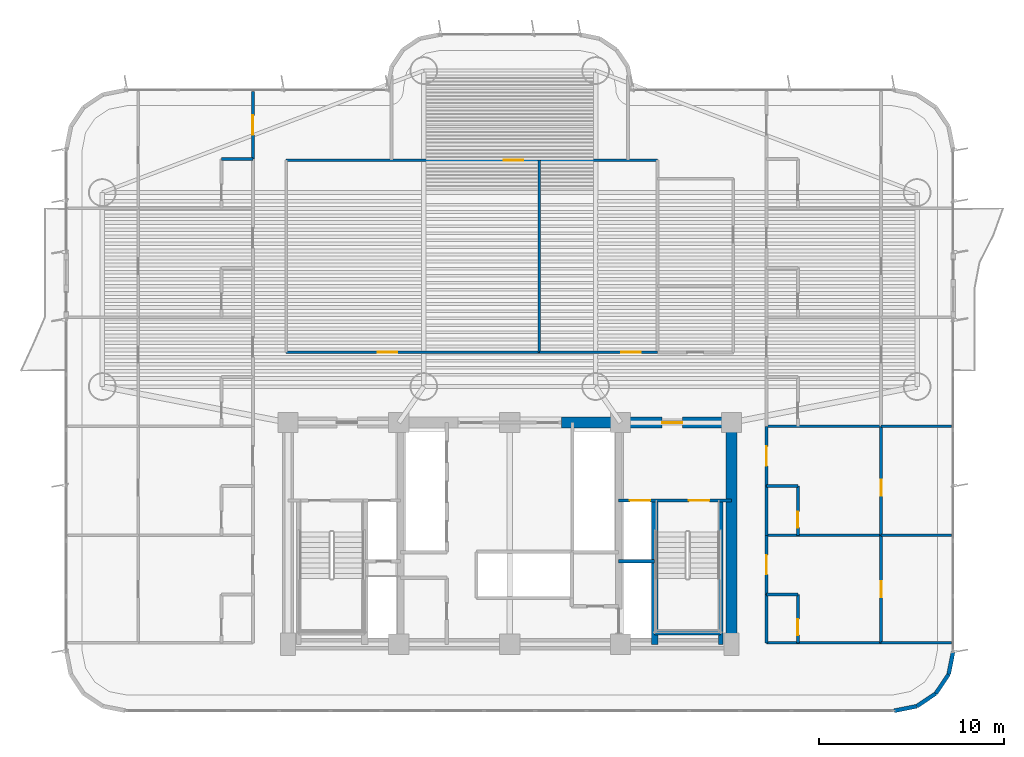
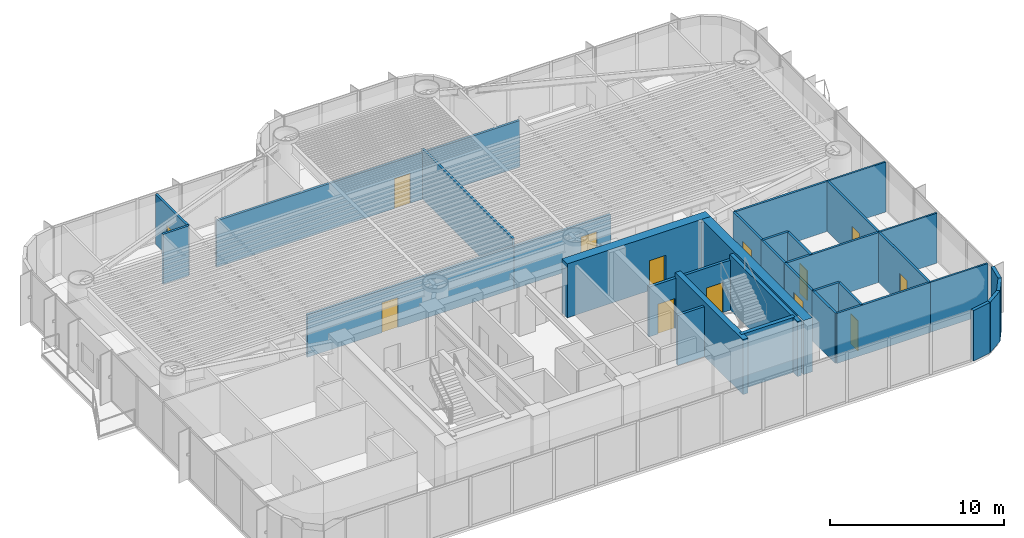
# One storey, part 12 of 18: 33 walls, 13 doors, 13 openings.
"""IFC4 building model written with IfcOpenShell, lengths in metres."""

from ifc_helpers import new_model, si_unit, direction, frame, frame_2d, origin, origin_2d, place, context, subcontext, project, spatial, rectangle, extrude, source, transform, mapped, material, layer, layer_set, type_object, element, fill, save


model = new_model("IFC4")

# Units and contexts
model_context = context("Model", 3, precision=1e-05, world=origin(), true_north=direction((0.0, 1.0)))
body_context = subcontext(model_context, "Body", "Model", "MODEL_VIEW")
ifc_project = project(units=[si_unit("LENGTHUNIT", "METRE"), si_unit("AREAUNIT", "SQUARE_METRE"), si_unit("VOLUMEUNIT", "CUBIC_METRE"), si_unit("PLANEANGLEUNIT", "RADIAN"), si_unit("MASSUNIT", "GRAM", prefix="KILO")], contexts=[model_context])

# Site, building, storey
site_placement = place(None, origin())
site = spatial("IfcSite", under=ifc_project, at=site_placement, CompositionType="ELEMENT")
building_placement = place(site_placement, origin())
building = spatial("IfcBuilding", under=site, at=building_placement, Name="Brelvock Crest Care Tower", CompositionType="ELEMENT")
storey_placement = place(building_placement, frame((0.0, 0.0, 38.340087890625)))
storey = spatial("IfcBuildingStorey", under=building, at=storey_placement, Name="L09", CompositionType="ELEMENT", Elevation=38.340087890625)

# Wall
ifc_material_1 = material(Name="Concrete S80 (80 MPa)", Category="concrete")
ifc_layer_1 = layer(ifc_material_1, 0.60009765625, Name="WL-CS1")
ifc_layer_set_1 = layer_set([ifc_layer_1], Name="Concrete S80 (80 MPa)")
wall_type_1 = type_object("IfcWallType", Name="WL-CS1", PredefinedType="SHEAR", material=ifc_layer_set_1)
wall_1_placement = place(storey_placement, frame((48.0, 18.0, 0.0), z_axis=(0.0, 0.0, 1.0), x_axis=(0.0, -1.0, 0.0)))
element("IfcWall", 1, at=wall_1_placement, inside=storey, type_object=wall_type_1, Name="L09 Core East Shear Wall", PredefinedType="SHEAR", context=body_context, shape_type="SweptSolid", body=[
    extrude(rectangle(XDim=12.0, YDim=0.60009765625, at=frame_2d((6.0, 0.0))), origin(), (0.0, 0.0, 1.0), 3.780029296875),
])

# Wall, opening, door
wall_2_placement = place(storey_placement, frame((38.800048828125, 18.0, 0.0), z_axis=(0.0, 0.0, 1.0), x_axis=(1.0, 0.0, 0.0)))
wall_2 = element("IfcWall", 2, at=wall_2_placement, inside=storey, type_object=wall_type_1, Name="L09 Core North-East Shear Wall", PredefinedType="SHEAR", context=body_context, shape_type="SweptSolid", body=[
    extrude(rectangle(XDim=9.5, YDim=0.60009765625, at=frame_2d((4.75, 0.0))), origin(), (0.0, 0.0, 1.0), 3.780029296875),
])
opening_1_placement = place(wall_2_placement, frame((5.449951171875, 0.0, 0.0)))
opening_1 = element("IfcOpeningElement", 3, at=opening_1_placement, cuts=wall_2, Name="Opening FD-1", PredefinedType="OPENING", context=body_context, shape_type="SweptSolid", body=[
    extrude(rectangle(XDim=1.10009765625, YDim=2.10009765625, at=origin_2d()), frame((0.550048828125, 0.31005859375, 1.050048828125), z_axis=(0.0, -1.0, 0.0), x_axis=(1.0, 0.0, 0.0)), (0.0, 0.0, 1.0), 0.6201171875),
])
ifc_material_2 = material(Name="Steel Grade 350", Category="steel")
door_type_1 = type_object("IfcDoorType", Name="DR-FFL1", OperationType="NOTDEFINED", PredefinedType="DOOR", material=ifc_material_2)
shared_shape_1 = source(origin(), body_context, "Body", "SweptSolid", [
    extrude(rectangle(XDim=1.10009765625, YDim=2.10009765625, at=origin_2d()), frame((0.550048828125, 0.02490234375, 1.050048828125), z_axis=(0.0, -1.0, 0.0), x_axis=(1.0, 0.0, 0.0)), (0.0, 0.0, 1.0), 0.050048828125),
])
door_1_placement = place(opening_1_placement, origin())
door_1 = element("IfcDoor", 4, at=door_1_placement, inside=storey, type_object=door_type_1, Name="L09 Firefighting Lobby FFL-2 Exit Door", OperationType="SINGLE_SWING_RIGHT", OverallHeight=2.10009765625, OverallWidth=1.10009765625, PredefinedType="DOOR", context=body_context, shape_type="MappedRepresentation", body=[
    mapped(shared_shape_1, transform((0.0, 0.0, 0.0), x_axis=(1.0, 0.0, 0.0), y_axis=(0.0, 1.0, 0.0), z_axis=(0.0, 0.0, 1.0), scale=1.0)),
])
fill(opening_1, door_1)

# Walls
ifc_layer_2 = layer(ifc_material_1, 0.35009765625, Name="WL-CS5")
ifc_layer_set_2 = layer_set([ifc_layer_2], Name="Concrete S80 (80 MPa)")
wall_type_2 = type_object("IfcWallType", Name="WL-CS5", PredefinedType="SHEAR", material=ifc_layer_set_2)
wall_3_placement = place(storey_placement, frame((43.85009765625, 6.0, 0.0), z_axis=(0.0, 0.0, 1.0), x_axis=(0.0, 1.0, 0.0)))
element("IfcWall", 5, at=wall_3_placement, inside=storey, type_object=wall_type_2, Name="L09 Core Stair ST-2 West Shear Wall", PredefinedType="SHEAR", context=body_context, shape_type="SweptSolid", body=[
    extrude(rectangle(XDim=7.780029296875, YDim=0.35009765625, at=frame_2d((3.89013671875, 0.0))), origin(), (0.0, 0.0, 1.0), 3.849853515625),
])
ifc_layer_3 = layer(ifc_material_1, 0.25, Name="WL-CS6")
ifc_layer_set_3 = layer_set([ifc_layer_3], Name="Concrete S80 (80 MPa)")
wall_type_3 = type_object("IfcWallType", Name="WL-CS6", PredefinedType="SHEAR", material=ifc_layer_set_3)
wall_4_placement = place(storey_placement, frame((47.419921875, 6.0, 0.0), z_axis=(0.0, 0.0, 1.0), x_axis=(0.0, 1.0, 0.0)))
element("IfcWall", 6, at=wall_4_placement, inside=storey, type_object=wall_type_3, Name="L09 Core Stair ST-2 East Shear Wall", PredefinedType="SHEAR", context=body_context, shape_type="SweptSolid", body=[
    extrude(rectangle(XDim=7.780029296875, YDim=0.25, at=frame_2d((3.89013671875, 0.0))), origin(), (0.0, 0.0, 1.0), 3.849853515625),
])
wall_5_placement = place(storey_placement, frame((43.85009765625, 6.6201171875, 0.0), z_axis=(0.0, 0.0, 1.0), x_axis=(1.0, 0.0, 0.0)))
element("IfcWall", 7, at=wall_5_placement, inside=storey, type_object=wall_type_3, Name="L09 Core Stair ST-2 South Shear Wall", PredefinedType="SHEAR", context=body_context, shape_type="SweptSolid", body=[
    extrude(rectangle(XDim=3.56982421875, YDim=0.25, at=frame_2d((1.784912109375, 0.0))), origin(), (0.0, 0.0, 1.0), 3.849853515625),
])
ifc_material_3 = material(Name="Precast concrete N40 (40 MPa)", Category="concrete")
ifc_layer_4 = layer(ifc_material_3, 0.215087890625, Name="WL-EX2")
ifc_layer_set_4 = layer_set([ifc_layer_4], Name="Precast concrete N40 (40 MPa)")
wall_type_4 = type_object("IfcWallType", Name="WL-EX2", PredefinedType="SOLIDWALL", material=ifc_layer_set_4)
for number, where, z_axis, x_axis, name in (
    (8, (60.0, 5.60009765625, 0.0), (0.0, 0.0, 1.0), (-0.195138390419, -0.980775717779, 0.0), "L09 Rounded Corner Wall 04"),
    (9, (59.75634765625, 4.37548828125, 0.0), (0.0, 0.0, 1.0), (-0.555557312883, -0.831478245117, 0.0), "L09 Rounded Corner Wall 05"),
    (10, (59.062744140625, 3.33740234375, 0.0), (0.0, 0.0, 1.0), (-0.831387912822, -0.555692485475, 0.0), "L09 Rounded Corner Wall 06"),
    (11, (58.024658203125, 2.6435546875, 0.0), (0.0, 0.0, 1.0), (-0.980775717779, -0.195138390419, 0.0), "L09 Rounded Corner Wall 07"),
):
    element("IfcWall", number, at=place(storey_placement, frame(where, z_axis=z_axis, x_axis=x_axis)), inside=storey, type_object=wall_type_4, Name=name, PredefinedType="SOLIDWALL", context=body_context, shape_type="SweptSolid", body=[
        extrude(rectangle(XDim=1.24853515625, YDim=0.215087890625, at=frame_2d((0.624267578125, 0.0))), origin(), (0.0, 0.0, 1.0), 3.530029296875),
    ])
ifc_material_4 = material(Name="Masonry Blockwork Acoustic Partition", Category="masonry")
ifc_layer_5 = layer(ifc_material_4, 0.14990234375, Name="WL-INT1")
ifc_layer_set_5 = layer_set([ifc_layer_5], Name="Masonry Blockwork Acoustic Partition")
wall_type_5 = type_object("IfcWallType", Name="WL-INT1", PredefinedType="PARTITIONING", material=ifc_layer_set_5)
for number, where, z_axis, x_axis, name in (
    (12, (49.89990234375, 6.080078125, 0.0), (0.0, 0.0, 1.0), (1.0, 0.0, 0.0), "L09 Interior Wall WL-BX-L09-CS-EC1-S"),
    (13, (49.89990234375, 11.89990234375, 0.0), (0.0, 0.0, 1.0), (1.0, 0.0, 0.0), "L09 Interior Wall WL-BX-L09-CS-EC1-N"),
    (14, (49.89990234375, 17.800048828125, 0.0), (0.0, 0.0, 1.0), (1.0, 0.0, 0.0), "L09 Interior Wall WL-BX-L09-CS-EC2-N"),
):
    element("IfcWall", number, at=place(storey_placement, frame(where, z_axis=z_axis, x_axis=x_axis)), inside=storey, type_object=wall_type_5, Name=name, PredefinedType="PARTITIONING", context=body_context, shape_type="SweptSolid", body=[
        extrude(rectangle(XDim=6.2001953125, YDim=0.14990234375, at=frame_2d((3.10009765625, 0.0))), origin(), (0.0, 0.0, 1.0), 3.5),
    ])

# Wall, opening, door
wall_6_placement = place(storey_placement, frame((23.89990234375, 21.800048828125, 0.0), z_axis=(0.0, 0.0, 1.0), x_axis=(1.0, 0.0, 0.0)))
wall_6 = element("IfcWall", 15, at=wall_6_placement, inside=storey, type_object=wall_type_5, Name="L09 Interior Wall WL-RM-L09-CNW", PredefinedType="PARTITIONING", context=body_context, shape_type="SweptSolid", body=[
    extrude(rectangle(XDim=13.7001953125, YDim=0.14990234375, at=frame_2d((6.85009765625, 0.0))), origin(), (0.0, 0.0, 1.0), 2.98193359375),
])
opening_2_placement = place(wall_6_placement, frame((4.955078125, 0.0, 0.0)))
opening_2 = element("IfcOpeningElement", 16, at=opening_2_placement, cuts=wall_6, Name="Opening CLD-1", PredefinedType="OPENING", context=body_context, shape_type="SweptSolid", body=[
    extrude(rectangle(XDim=1.050048828125, YDim=2.10009765625, at=origin_2d()), frame((0.52490234375, 0.0849609375, 1.050048828125), z_axis=(0.0, -1.0, 0.0), x_axis=(1.0, 0.0, 0.0)), (0.0, 0.0, 1.0), 0.169921875),
])
ifc_material_5 = material(Name="Engineered Hardwood Timber", Category="wood")
door_type_2 = type_object("IfcDoorType", Name="DR-CLN1", OperationType="NOTDEFINED", PredefinedType="DOOR", material=ifc_material_5)
shared_shape_2 = source(origin(), body_context, "Body", "SweptSolid", [
    extrude(rectangle(XDim=1.050048828125, YDim=2.10009765625, at=origin_2d()), frame((0.52490234375, 0.02490234375, 1.050048828125), z_axis=(0.0, -1.0, 0.0), x_axis=(1.0, 0.0, 0.0)), (0.0, 0.0, 1.0), 0.050048828125),
])
door_2_placement = place(opening_2_placement, origin())
door_2 = element("IfcDoor", 17, at=door_2_placement, inside=storey, type_object=door_type_2, Name="L09 Communal Dining Conservatory Door CNW", OperationType="SINGLE_SWING_LEFT", OverallHeight=2.10009765625, OverallWidth=1.050048828125, PredefinedType="DOOR", context=body_context, shape_type="MappedRepresentation", body=[
    mapped(shared_shape_2, transform((0.0, 0.0, 0.0), x_axis=(1.0, 0.0, 0.0), y_axis=(0.0, 1.0, 0.0), z_axis=(0.0, 0.0, 1.0), scale=1.0)),
])
fill(opening_2, door_2)

wall_7_placement = place(storey_placement, frame((37.60009765625, 21.800048828125, 0.0), z_axis=(0.0, 0.0, 1.0), x_axis=(1.0, 0.0, 0.0)))
wall_7 = element("IfcWall", 18, at=wall_7_placement, inside=storey, type_object=wall_type_5, Name="L09 Interior Wall WL-RM-L09-CNE", PredefinedType="PARTITIONING", context=body_context, shape_type="SweptSolid", body=[
    extrude(rectangle(XDim=6.39990234375, YDim=0.14990234375, at=frame_2d((3.199951171875, 0.0))), origin(), (0.0, 0.0, 1.0), 2.98193359375),
])
opening_3_placement = place(wall_7_placement, frame((4.43505859375, 0.0, 0.0)))
opening_3 = element("IfcOpeningElement", 19, at=opening_3_placement, cuts=wall_7, Name="Opening CLD-1", PredefinedType="OPENING", context=body_context, shape_type="SweptSolid", body=[
    extrude(rectangle(XDim=1.050048828125, YDim=2.10009765625, at=origin_2d()), frame((0.52490234375, 0.0849609375, 1.050048828125), z_axis=(0.0, -1.0, 0.0), x_axis=(1.0, 0.0, 0.0)), (0.0, 0.0, 1.0), 0.169921875),
])
door_3_placement = place(opening_3_placement, origin())
door_3 = element("IfcDoor", 20, at=door_3_placement, inside=storey, type_object=door_type_2, Name="L09 Geriatric Nurse Consultation Hub Door CNE", OperationType="SINGLE_SWING_LEFT", OverallHeight=2.10009765625, OverallWidth=1.050048828125, PredefinedType="DOOR", context=body_context, shape_type="MappedRepresentation", body=[
    mapped(shared_shape_2, transform((0.0, 0.0, 0.0), x_axis=(1.0, 0.0, 0.0), y_axis=(0.0, 1.0, 0.0), z_axis=(0.0, 0.0, 1.0), scale=1.0)),
])
fill(opening_3, door_3)

wall_8_placement = place(storey_placement, frame((23.89990234375, 32.199951171875, 0.0), z_axis=(0.0, 0.0, 1.0), x_axis=(1.0, 0.0, 0.0)))
wall_8 = element("IfcWall", 21, at=wall_8_placement, inside=storey, type_object=wall_type_5, Name="L09 Interior Wall WL-RM-L09-NHUB", PredefinedType="PARTITIONING", context=body_context, shape_type="SweptSolid", body=[
    extrude(rectangle(XDim=20.10009765625, YDim=0.14990234375, at=frame_2d((10.050048828125, 0.0))), origin(), (0.0, 0.0, 1.0), 3.259033203125),
])
opening_4_placement = place(wall_8_placement, frame((11.77490234375, 0.0, 0.0)))
opening_4 = element("IfcOpeningElement", 22, at=opening_4_placement, cuts=wall_8, Name="Opening CLD-1", PredefinedType="OPENING", context=body_context, shape_type="SweptSolid", body=[
    extrude(rectangle(XDim=1.050048828125, YDim=2.10009765625, at=origin_2d()), frame((0.52490234375, 0.0849609375, 1.050048828125), z_axis=(0.0, -1.0, 0.0), x_axis=(1.0, 0.0, 0.0)), (0.0, 0.0, 1.0), 0.169921875),
])
door_4_placement = place(opening_4_placement, origin())
door_4 = element("IfcDoor", 23, at=door_4_placement, inside=storey, type_object=door_type_2, Name="L09 Harbour Wintergarden Lounge Door NHUB", OperationType="SINGLE_SWING_LEFT", OverallHeight=2.10009765625, OverallWidth=1.050048828125, PredefinedType="DOOR", context=body_context, shape_type="MappedRepresentation", body=[
    mapped(shared_shape_2, transform((0.0, 0.0, 0.0), x_axis=(1.0, 0.0, 0.0), y_axis=(0.0, 1.0, 0.0), z_axis=(0.0, 0.0, 1.0), scale=1.0)),
])
fill(opening_4, door_4)

wall_9_placement = place(storey_placement, frame((22.10009765625, 32.263916015625, 0.0), z_axis=(0.0, 0.0, 1.0), x_axis=(0.0, 1.0, 0.0)))
wall_9 = element("IfcWall", 24, at=wall_9_placement, inside=storey, type_object=wall_type_5, Name="L09 Interior Wall WL-CENT-L09-WC5", PredefinedType="PARTITIONING", context=body_context, shape_type="SweptSolid", body=[
    extrude(rectangle(XDim=3.65673828125, YDim=0.14990234375, at=frame_2d((1.828369140625, 0.0))), origin(), (0.0, 0.0, 1.0), 3.5),
])
opening_5_placement = place(wall_9_placement, frame((1.30810546875, 0.0, 0.0)))
opening_5 = element("IfcOpeningElement", 25, at=opening_5_placement, cuts=wall_9, Name="Opening CD-1", PredefinedType="OPENING", context=body_context, shape_type="SweptSolid", body=[
    extrude(rectangle(XDim=1.050048828125, YDim=2.10009765625, at=origin_2d()), frame((0.52490234375, 0.0849609375, 1.050048828125), z_axis=(0.0, -1.0, 0.0), x_axis=(1.0, 0.0, 0.0)), (0.0, 0.0, 1.0), 0.169921875),
])
door_type_3 = type_object("IfcDoorType", Name="DR-CARE1", OperationType="NOTDEFINED", PredefinedType="DOOR", material=ifc_material_5)
shared_shape_3 = source(origin(), body_context, "Body", "SweptSolid", [
    extrude(rectangle(XDim=1.050048828125, YDim=2.10009765625, at=origin_2d()), frame((0.52490234375, 0.02490234375, 1.050048828125), z_axis=(0.0, -1.0, 0.0), x_axis=(1.0, 0.0, 0.0)), (0.0, 0.0, 1.0), 0.050048828125),
])
door_5_placement = place(opening_5_placement, origin())
door_5 = element("IfcDoor", 26, at=door_5_placement, inside=storey, type_object=door_type_3, Name="L09 Care Suite Door WC5", OperationType="SINGLE_SWING_LEFT", OverallHeight=2.10009765625, OverallWidth=1.050048828125, PredefinedType="DOOR", context=body_context, shape_type="MappedRepresentation", body=[
    mapped(shared_shape_3, transform((0.0, 0.0, 0.0), x_axis=(1.0, 0.0, 0.0), y_axis=(0.0, 1.0, 0.0), z_axis=(0.0, 0.0, 1.0), scale=1.0)),
])
fill(opening_5, door_5)

# Wall
wall_10_placement = place(storey_placement, frame((37.60009765625, 21.800048828125, 0.0), z_axis=(0.0, 0.0, 1.0), x_axis=(0.0, 1.0, 0.0)))
element("IfcWall", 27, at=wall_10_placement, inside=storey, type_object=wall_type_5, Name="L09 Interior Wall WL-BX-L09-CNE-W", PredefinedType="PARTITIONING", context=body_context, shape_type="SweptSolid", body=[
    extrude(rectangle(XDim=10.39990234375, YDim=0.14990234375, at=frame_2d((5.199951171875, 0.0))), origin(), (0.0, 0.0, 1.0), 3.5),
])

# Wall, opening, door
wall_11_placement = place(storey_placement, frame((49.89990234375, 8.698974609375, 0.0), z_axis=(0.0, 0.0, 1.0), x_axis=(0.0, 1.0, 0.0)))
wall_11 = element("IfcWall", 28, at=wall_11_placement, inside=storey, type_object=wall_type_5, Name="L09 Interior Wall WL-CENT-L09-EC1", PredefinedType="PARTITIONING", context=body_context, shape_type="SweptSolid", body=[
    extrude(rectangle(XDim=3.200927734375, YDim=0.14990234375, at=frame_2d((1.6005859375, 0.0))), origin(), (0.0, 0.0, 1.0), 3.5),
])
opening_6_placement = place(wall_11_placement, frame((1.0810546875, 0.0, 0.0)))
opening_6 = element("IfcOpeningElement", 29, at=opening_6_placement, cuts=wall_11, Name="Opening CD-1", PredefinedType="OPENING", context=body_context, shape_type="SweptSolid", body=[
    extrude(rectangle(XDim=1.050048828125, YDim=2.10009765625, at=origin_2d()), frame((0.52490234375, 0.0849609375, 1.050048828125), z_axis=(0.0, -1.0, 0.0), x_axis=(1.0, 0.0, 0.0)), (0.0, 0.0, 1.0), 0.169921875),
])
door_6_placement = place(opening_6_placement, origin())
door_6 = element("IfcDoor", 30, at=door_6_placement, inside=storey, type_object=door_type_3, Name="L09 Care Suite Door EC1", OperationType="SINGLE_SWING_LEFT", OverallHeight=2.10009765625, OverallWidth=1.050048828125, PredefinedType="DOOR", context=body_context, shape_type="MappedRepresentation", body=[
    mapped(shared_shape_3, transform((0.0, 0.0, 0.0), x_axis=(1.0, 0.0, 0.0), y_axis=(0.0, 1.0, 0.0), z_axis=(0.0, 0.0, 1.0), scale=1.0)),
])
fill(opening_6, door_6)

wall_12_placement = place(storey_placement, frame((49.89990234375, 14.554931640625, 0.0), z_axis=(0.0, 0.0, 1.0), x_axis=(0.0, 1.0, 0.0)))
wall_12 = element("IfcWall", 31, at=wall_12_placement, inside=storey, type_object=wall_type_5, Name="L09 Interior Wall WL-CENT-L09-EC2", PredefinedType="PARTITIONING", context=body_context, shape_type="SweptSolid", body=[
    extrude(rectangle(XDim=3.2451171875, YDim=0.14990234375, at=frame_2d((1.62255859375, 0.0))), origin(), (0.0, 0.0, 1.0), 3.5),
])
opening_7_placement = place(wall_12_placement, frame((1.10302734375, 0.0, 0.0)))
opening_7 = element("IfcOpeningElement", 32, at=opening_7_placement, cuts=wall_12, Name="Opening CD-1", PredefinedType="OPENING", context=body_context, shape_type="SweptSolid", body=[
    extrude(rectangle(XDim=1.050048828125, YDim=2.10009765625, at=origin_2d()), frame((0.52490234375, 0.0849609375, 1.050048828125), z_axis=(0.0, -1.0, 0.0), x_axis=(1.0, 0.0, 0.0)), (0.0, 0.0, 1.0), 0.169921875),
])
door_7_placement = place(opening_7_placement, origin())
door_7 = element("IfcDoor", 33, at=door_7_placement, inside=storey, type_object=door_type_3, Name="L09 Care Suite Door EC2", OperationType="SINGLE_SWING_LEFT", OverallHeight=2.10009765625, OverallWidth=1.050048828125, PredefinedType="DOOR", context=body_context, shape_type="MappedRepresentation", body=[
    mapped(shared_shape_3, transform((0.0, 0.0, 0.0), x_axis=(1.0, 0.0, 0.0), y_axis=(0.0, 1.0, 0.0), z_axis=(0.0, 0.0, 1.0), scale=1.0)),
])
fill(opening_7, door_7)

wall_13_placement = place(storey_placement, frame((56.10009765625, 6.080078125, 0.0), z_axis=(0.0, 0.0, 1.0), x_axis=(0.0, 1.0, 0.0)))
wall_13 = element("IfcWall", 34, at=wall_13_placement, inside=storey, type_object=wall_type_5, Name="L09 Interior Wall WL-RM-L09-EC1S", PredefinedType="PARTITIONING", context=body_context, shape_type="SweptSolid", body=[
    extrude(rectangle(XDim=5.81982421875, YDim=0.14990234375, at=frame_2d((2.909912109375, 0.0))), origin(), (0.0, 0.0, 1.0), 3.5),
])
opening_8_placement = place(wall_13_placement, frame((2.4599609375, 0.0, 0.0)))
opening_8 = element("IfcOpeningElement", 35, at=opening_8_placement, cuts=wall_13, Name="Opening ID-1", PredefinedType="OPENING", context=body_context, shape_type="SweptSolid", body=[
    extrude(rectangle(XDim=0.860107421875, YDim=2.10009765625, at=origin_2d()), frame((0.43017578125, 0.0849609375, 1.050048828125), z_axis=(0.0, -1.0, 0.0), x_axis=(1.0, 0.0, 0.0)), (0.0, 0.0, 1.0), 0.169921875),
])
door_type_4 = type_object("IfcDoorType", Name="DR-INT1", OperationType="NOTDEFINED", PredefinedType="DOOR", material=ifc_material_5)
shared_shape_4 = source(origin(), body_context, "Body", "SweptSolid", [
    extrude(rectangle(XDim=0.860107421875, YDim=2.10009765625, at=origin_2d()), frame((0.43017578125, 0.02490234375, 1.050048828125), z_axis=(0.0, -1.0, 0.0), x_axis=(1.0, 0.0, 0.0)), (0.0, 0.0, 1.0), 0.050048828125),
])
door_8_placement = place(opening_8_placement, origin())
door_8 = element("IfcDoor", 36, at=door_8_placement, inside=storey, type_object=door_type_4, Name="L09 Assisted Care Mobility Store Door EC1S", OperationType="SINGLE_SWING_LEFT", OverallHeight=2.10009765625, OverallWidth=0.860107421875, PredefinedType="DOOR", context=body_context, shape_type="MappedRepresentation", body=[
    mapped(shared_shape_4, transform((0.0, 0.0, 0.0), x_axis=(1.0, 0.0, 0.0), y_axis=(0.0, 1.0, 0.0), z_axis=(0.0, 0.0, 1.0), scale=1.0)),
])
fill(opening_8, door_8)

wall_14_placement = place(storey_placement, frame((56.10009765625, 11.89990234375, 0.0), z_axis=(0.0, 0.0, 1.0), x_axis=(0.0, 1.0, 0.0)))
wall_14 = element("IfcWall", 37, at=wall_14_placement, inside=storey, type_object=wall_type_5, Name="L09 Interior Wall WL-RM-L09-EC2S", PredefinedType="PARTITIONING", context=body_context, shape_type="SweptSolid", body=[
    extrude(rectangle(XDim=5.900146484375, YDim=0.14990234375, at=frame_2d((2.9501953125, 0.0))), origin(), (0.0, 0.0, 1.0), 3.5),
])
opening_9_placement = place(wall_14_placement, frame((2.139892578125, 0.0, 0.0)))
opening_9 = element("IfcOpeningElement", 38, at=opening_9_placement, cuts=wall_14, Name="Opening ID-1", PredefinedType="OPENING", context=body_context, shape_type="SweptSolid", body=[
    extrude(rectangle(XDim=0.860107421875, YDim=2.10009765625, at=origin_2d()), frame((0.43017578125, 0.0849609375, 1.050048828125), z_axis=(0.0, -1.0, 0.0), x_axis=(1.0, 0.0, 0.0)), (0.0, 0.0, 1.0), 0.169921875),
])
door_9_placement = place(opening_9_placement, origin())
door_9 = element("IfcDoor", 39, at=door_9_placement, inside=storey, type_object=door_type_4, Name="L09 Assisted Care Mobility Store Door EC2S", OperationType="SINGLE_SWING_LEFT", OverallHeight=2.10009765625, OverallWidth=0.860107421875, PredefinedType="DOOR", context=body_context, shape_type="MappedRepresentation", body=[
    mapped(shared_shape_4, transform((0.0, 0.0, 0.0), x_axis=(1.0, 0.0, 0.0), y_axis=(0.0, 1.0, 0.0), z_axis=(0.0, 0.0, 1.0), scale=1.0)),
])
fill(opening_9, door_9)

# Walls
ifc_material_6 = material(Name="Gypsum Plasterboard Partition", Category="gypsum")
ifc_layer_6 = layer(ifc_material_6, 0.1201171875, Name="WL-INT2")
ifc_layer_set_6 = layer_set([ifc_layer_6], Name="Gypsum Plasterboard Partition")
wall_type_6 = type_object("IfcWallType", Name="WL-INT2", PredefinedType="PARTITIONING", material=ifc_layer_set_6)
for number, where, z_axis, x_axis, name in (
    (40, (56.10009765625, 6.080078125, 0.0), (0.0, 0.0, 1.0), (1.0, 0.0, 0.0), "L09 Interior Wall WL-BX-L09-EC1S-S"),
    (41, (56.10009765625, 11.89990234375, 0.0), (0.0, 0.0, 1.0), (1.0, 0.0, 0.0), "L09 Interior Wall WL-BX-L09-EC1S-N"),
    (42, (56.10009765625, 17.800048828125, 0.0), (0.0, 0.0, 1.0), (1.0, 0.0, 0.0), "L09 Interior Wall WL-BX-L09-EC2S-N"),
):
    element("IfcWall", number, at=place(storey_placement, frame(where, z_axis=z_axis, x_axis=x_axis)), inside=storey, type_object=wall_type_6, Name=name, PredefinedType="PARTITIONING", context=body_context, shape_type="SweptSolid", body=[
        extrude(rectangle(XDim=3.81982421875, YDim=0.1201171875, at=frame_2d((1.909912109375, 0.0))), origin(), (0.0, 0.0, 1.0), 3.5),
    ])
ifc_layer_7 = layer(ifc_material_6, 0.159912109375, Name="WL-PLM1")
ifc_layer_set_7 = layer_set([ifc_layer_7], Name="Gypsum Plasterboard Partition")
wall_type_7 = type_object("IfcWallType", Name="WL-PLM1", PredefinedType="PLUMBINGWALL", material=ifc_layer_set_7)
for number, where, z_axis, x_axis, name in (
    (43, (49.89990234375, 8.698974609375, 0.0), (0.0, 0.0, 1.0), (1.0, 0.0, 0.0), "L09 Interior Wall WL-CENS2-L09-EC1"),
    (44, (49.89990234375, 14.554931640625, 0.0), (0.0, 0.0, 1.0), (1.0, 0.0, 0.0), "L09 Interior Wall WL-CENS2-L09-EC2"),
    (45, (20.39990234375, 32.263916015625, 0.0), (0.0, 0.0, 1.0), (1.0, 0.0, 0.0), "L09 Interior Wall WL-CENS2-L09-WC5"),
):
    element("IfcWall", number, at=place(storey_placement, frame(where, z_axis=z_axis, x_axis=x_axis)), inside=storey, type_object=wall_type_7, Name=name, PredefinedType="PLUMBINGWALL", context=body_context, shape_type="SweptSolid", body=[
        extrude(rectangle(XDim=1.7001953125, YDim=0.159912109375, at=frame_2d((0.85009765625, 0.0))), origin(), (0.0, 0.0, 1.0), 3.5),
    ])
wall_15_placement = place(storey_placement, frame((49.89990234375, 6.080078125, 0.0), z_axis=(0.0, 0.0, 1.0), x_axis=(0.0, 1.0, 0.0)))
element("IfcWall", 46, at=wall_15_placement, inside=storey, type_object=wall_type_7, Name="L09 Interior Wall WL-CENS0-L09-EC1", PredefinedType="PLUMBINGWALL", context=body_context, shape_type="SweptSolid", body=[
    extrude(rectangle(XDim=2.618896484375, YDim=0.159912109375, at=frame_2d((1.3095703125, 0.0))), origin(), (0.0, 0.0, 1.0), 3.5),
])
wall_16_placement = place(storey_placement, frame((49.89990234375, 11.89990234375, 0.0), z_axis=(0.0, 0.0, 1.0), x_axis=(0.0, 1.0, 0.0)))
element("IfcWall", 47, at=wall_16_placement, inside=storey, type_object=wall_type_7, Name="L09 Interior Wall WL-CENS0-L09-EC2", PredefinedType="PLUMBINGWALL", context=body_context, shape_type="SweptSolid", body=[
    extrude(rectangle(XDim=2.655029296875, YDim=0.159912109375, at=frame_2d((1.32763671875, 0.0))), origin(), (0.0, 0.0, 1.0), 3.5),
])

# Wall, opening, door
wall_17_placement = place(storey_placement, frame((51.60009765625, 6.080078125, 0.0), z_axis=(0.0, 0.0, 1.0), x_axis=(0.0, 1.0, 0.0)))
wall_17 = element("IfcWall", 48, at=wall_17_placement, inside=storey, type_object=wall_type_7, Name="L09 Interior Wall WL-CENS1-L09-EC1", PredefinedType="PLUMBINGWALL", context=body_context, shape_type="SweptSolid", body=[
    extrude(rectangle(XDim=2.618896484375, YDim=0.159912109375, at=frame_2d((1.3095703125, 0.0))), origin(), (0.0, 0.0, 1.0), 3.5),
])
opening_10_placement = place(wall_17_placement, frame((0.419921875, 0.0, 0.0)))
opening_10 = element("IfcOpeningElement", 49, at=opening_10_placement, cuts=wall_17, Name="Opening WD-1", PredefinedType="OPENING", context=body_context, shape_type="SweptSolid", body=[
    extrude(rectangle(XDim=0.860107421875, YDim=2.10009765625, at=origin_2d()), frame((0.43017578125, 0.08984375, 1.050048828125), z_axis=(0.0, -1.0, 0.0), x_axis=(1.0, 0.0, 0.0)), (0.0, 0.0, 1.0), 0.179931640625),
])
door_type_5 = type_object("IfcDoorType", Name="DR-WC1", OperationType="NOTDEFINED", PredefinedType="DOOR", material=ifc_material_5)
shared_shape_5 = source(origin(), body_context, "Body", "SweptSolid", [
    extrude(rectangle(XDim=0.860107421875, YDim=2.10009765625, at=origin_2d()), frame((0.43017578125, 0.02490234375, 1.050048828125), z_axis=(0.0, -1.0, 0.0), x_axis=(1.0, 0.0, 0.0)), (0.0, 0.0, 1.0), 0.050048828125),
])
door_10_placement = place(opening_10_placement, origin())
door_10 = element("IfcDoor", 50, at=door_10_placement, inside=storey, type_object=door_type_5, Name="L09 Care En-Suite Door EC1", OperationType="SINGLE_SWING_RIGHT", OverallHeight=2.10009765625, OverallWidth=0.860107421875, PredefinedType="DOOR", context=body_context, shape_type="MappedRepresentation", body=[
    mapped(shared_shape_5, transform((0.0, 0.0, 0.0), x_axis=(1.0, 0.0, 0.0), y_axis=(0.0, 1.0, 0.0), z_axis=(0.0, 0.0, 1.0), scale=1.0)),
])
fill(opening_10, door_10)

wall_18_placement = place(storey_placement, frame((51.60009765625, 11.89990234375, 0.0), z_axis=(0.0, 0.0, 1.0), x_axis=(0.0, 1.0, 0.0)))
wall_18 = element("IfcWall", 51, at=wall_18_placement, inside=storey, type_object=wall_type_7, Name="L09 Interior Wall WL-CENS1-L09-EC2", PredefinedType="PLUMBINGWALL", context=body_context, shape_type="SweptSolid", body=[
    extrude(rectangle(XDim=2.655029296875, YDim=0.159912109375, at=frame_2d((1.32763671875, 0.0))), origin(), (0.0, 0.0, 1.0), 3.5),
])
opening_11_placement = place(wall_18_placement, frame((0.419921875, 0.0, 0.0)))
opening_11 = element("IfcOpeningElement", 52, at=opening_11_placement, cuts=wall_18, Name="Opening WD-1", PredefinedType="OPENING", context=body_context, shape_type="SweptSolid", body=[
    extrude(rectangle(XDim=0.860107421875, YDim=2.10009765625, at=origin_2d()), frame((0.43017578125, 0.08984375, 1.050048828125), z_axis=(0.0, -1.0, 0.0), x_axis=(1.0, 0.0, 0.0)), (0.0, 0.0, 1.0), 0.179931640625),
])
door_11_placement = place(opening_11_placement, origin())
door_11 = element("IfcDoor", 53, at=door_11_placement, inside=storey, type_object=door_type_5, Name="L09 Care En-Suite Door EC2", OperationType="SINGLE_SWING_RIGHT", OverallHeight=2.10009765625, OverallWidth=0.860107421875, PredefinedType="DOOR", context=body_context, shape_type="MappedRepresentation", body=[
    mapped(shared_shape_5, transform((0.0, 0.0, 0.0), x_axis=(1.0, 0.0, 0.0), y_axis=(0.0, 1.0, 0.0), z_axis=(0.0, 0.0, 1.0), scale=1.0)),
])
fill(opening_11, door_11)

# Wall, openings, doors
ifc_layer_8 = layer(ifc_material_4, 0.179931640625, Name="WL-SHF1")
ifc_layer_set_8 = layer_set([ifc_layer_8], Name="Masonry Blockwork Acoustic Partition")
wall_type_8 = type_object("IfcWallType", Name="WL-SHF1", PredefinedType="PARTITIONING", material=ifc_layer_set_8)
wall_19_placement = place(storey_placement, frame((41.89990234375, 13.780029296875, 0.0), z_axis=(0.0, 0.0, 1.0), x_axis=(1.0, 0.0, 0.0)))
wall_19 = element("IfcWall", 54, at=wall_19_placement, inside=storey, type_object=wall_type_8, Name="L09 Interior Wall WL-ST2-N-L09", PredefinedType="PARTITIONING", context=body_context, shape_type="SweptSolid", body=[
    extrude(rectangle(XDim=6.10009765625, YDim=0.179931640625, at=frame_2d((3.050048828125, 0.0))), origin(), (0.0, 0.0, 1.0), 3.5),
])
opening_12_placement = place(wall_19_placement, frame((0.60009765625, 0.0, 0.0)))
opening_12 = element("IfcOpeningElement", 55, at=opening_12_placement, cuts=wall_19, Name="Opening LD", PredefinedType="OPENING", context=body_context, shape_type="SweptSolid", body=[
    extrude(rectangle(XDim=1.10009765625, YDim=2.10009765625, at=origin_2d()), frame((0.550048828125, 0.10009765625, 1.050048828125), z_axis=(0.0, -1.0, 0.0), x_axis=(1.0, 0.0, 0.0)), (0.0, 0.0, 1.0), 0.199951171875),
])
opening_13_placement = place(wall_19_placement, frame((3.800048828125, 0.0, 0.0)))
opening_13 = element("IfcOpeningElement", 56, at=opening_13_placement, cuts=wall_19, Name="Opening SD-1", PredefinedType="OPENING", context=body_context, shape_type="SweptSolid", body=[
    extrude(rectangle(XDim=1.10009765625, YDim=2.10009765625, at=origin_2d()), frame((0.550048828125, 0.10009765625, 1.050048828125), z_axis=(0.0, -1.0, 0.0), x_axis=(1.0, 0.0, 0.0)), (0.0, 0.0, 1.0), 0.199951171875),
])
door_type_6 = type_object("IfcDoorType", Name="DR-ST1", OperationType="NOTDEFINED", PredefinedType="DOOR", material=ifc_material_2)
shared_shape_6 = source(origin(), body_context, "Body", "SweptSolid", [
    extrude(rectangle(XDim=1.10009765625, YDim=2.10009765625, at=origin_2d()), frame((0.550048828125, 0.02490234375, 1.050048828125), z_axis=(0.0, -1.0, 0.0), x_axis=(1.0, 0.0, 0.0)), (0.0, 0.0, 1.0), 0.050048828125),
])
door_12_placement = place(opening_13_placement, origin())
door_12 = element("IfcDoor", 57, at=door_12_placement, inside=storey, type_object=door_type_6, Name="L09 Fire Stair ST-2 Door", OperationType="SINGLE_SWING_RIGHT", OverallHeight=2.10009765625, OverallWidth=1.10009765625, PredefinedType="DOOR", context=body_context, shape_type="MappedRepresentation", body=[
    mapped(shared_shape_6, transform((0.0, 0.0, 0.0), x_axis=(1.0, 0.0, 0.0), y_axis=(0.0, 1.0, 0.0), z_axis=(0.0, 0.0, 1.0), scale=1.0)),
])
fill(opening_13, door_12)
door_type_7 = type_object("IfcDoorType", Name="DR-LD1", OperationType="NOTDEFINED", PredefinedType="DOOR", material=ifc_material_2)
shared_shape_7 = source(origin(), body_context, "Body", "SweptSolid", [
    extrude(rectangle(XDim=1.10009765625, YDim=2.10009765625, at=origin_2d()), frame((0.550048828125, 0.02490234375, 1.050048828125), z_axis=(0.0, -1.0, 0.0), x_axis=(1.0, 0.0, 0.0)), (0.0, 0.0, 1.0), 0.050048828125),
])
door_13_placement = place(opening_12_placement, origin())
door_13 = element("IfcDoor", 58, at=door_13_placement, inside=storey, type_object=door_type_7, Name="L09 Firefighting Lift FFL-2 Landing Door", OperationType="SLIDING_TO_RIGHT", OverallHeight=2.10009765625, OverallWidth=1.10009765625, PredefinedType="DOOR", context=body_context, shape_type="MappedRepresentation", body=[
    mapped(shared_shape_7, transform((0.0, 0.0, 0.0), x_axis=(1.0, 0.0, 0.0), y_axis=(0.0, 1.0, 0.0), z_axis=(0.0, 0.0, 1.0), scale=1.0)),
])
fill(opening_12, door_13)

# Wall
wall_20_placement = place(storey_placement, frame((41.89990234375, 10.5, 0.0), z_axis=(0.0, 0.0, 1.0), x_axis=(1.0, 0.0, 0.0)))
element("IfcWall", 59, at=wall_20_placement, inside=storey, type_object=wall_type_8, Name="L09 Interior Wall WL-FFH2-S-L09", PredefinedType="PARTITIONING", context=body_context, shape_type="SweptSolid", body=[
    extrude(rectangle(XDim=1.9501953125, YDim=0.179931640625, at=frame_2d((0.97509765625, 0.0))), origin(), (0.0, 0.0, 1.0), 3.5),
])

save(model, "model.ifc")
